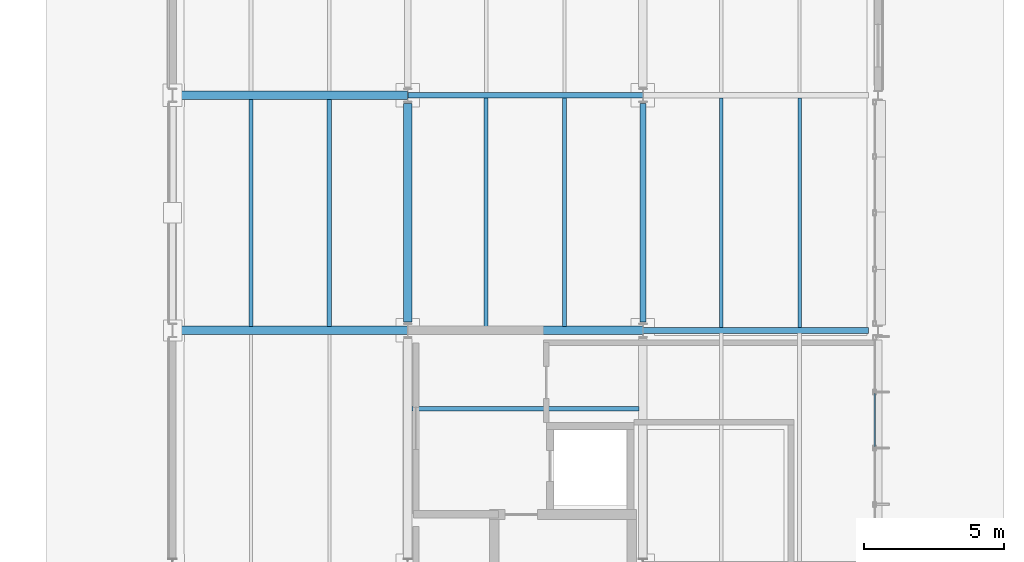
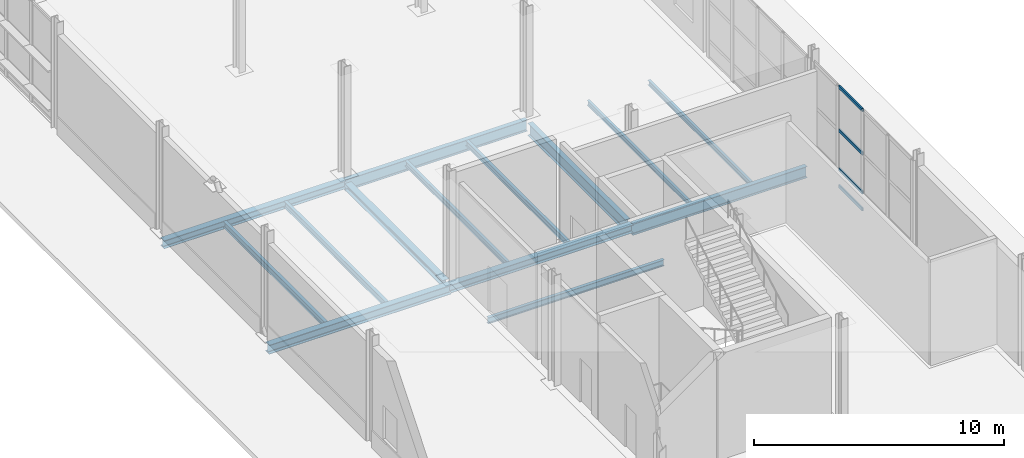
# One storey, part 59 of 124: 14 beams, 4 members, 1 element without a shape of its own.
"""IFC4 building model written with IfcOpenShell, lengths in metres."""

from ifc_helpers import new_model, si_unit, direction, frame, origin, origin_2d, place, context, subcontext, project, spatial, hollow_rectangle, i_section, extrude, material, material_profile, profile_set, type_object, element, aggregate, save


model = new_model("IFC4")

# Units and contexts
model_context = context("Model", 3, precision=1e-05, world=origin(), true_north=direction((0.0, 1.0)))
body_context = subcontext(model_context, "Body", "Model", "MODEL_VIEW")
ifc_project = project(units=[si_unit("LENGTHUNIT", "METRE"), si_unit("AREAUNIT", "SQUARE_METRE"), si_unit("VOLUMEUNIT", "CUBIC_METRE"), si_unit("PLANEANGLEUNIT", "RADIAN"), si_unit("MASSUNIT", "GRAM", prefix="KILO")], contexts=[model_context])

# Site, building, storey
site_placement = place(None, origin())
site = spatial("IfcSite", under=ifc_project, at=site_placement, CompositionType="ELEMENT")
building_placement = place(site_placement, origin())
building = spatial("IfcBuilding", under=site, at=building_placement, Name="Mersafa Astral City Hall", CompositionType="ELEMENT")
storey_placement = place(building_placement, origin())
storey = spatial("IfcBuildingStorey", under=building, at=storey_placement, Name="L00", CompositionType="ELEMENT", Elevation=0.0)

# Curtain wall, members
ifc_material_1 = material(Name="Anodised bronze aluminium framing", Category="aluminium")
curtain_wall_type = type_object("IfcCurtainWallType", Name="ENV-CW-3", PredefinedType="USERDEFINED", material=ifc_material_1)
curtain_wall_placement = place(storey_placement, origin())
curtain_wall = element("IfcCurtainWall", 1, at=curtain_wall_placement, inside=storey, type_object=curtain_wall_type, Name="L00 Unitised solar curtain wall 26", ObjectType="UNITISED CURTAIN WALL", PredefinedType="USERDEFINED")
ifc_material_profile_1 = material_profile(ifc_material_1, hollow_rectangle(XDim=0.06005859375, YDim=0.159912109375, WallThickness=0.00390625, at=origin_2d()), Name="RHS 60x160x4")
ifc_profile_set_1 = profile_set([ifc_material_profile_1], Name="Anodised bronze aluminium framing")
member_type = type_object("IfcMemberType", Name="ENV-CW-TRN-2", PredefinedType="USERDEFINED", material=ifc_profile_set_1)
member_1_placement = place(storey_placement, frame((184.679931640625, 63.054931640625, 0.028076171875), z_axis=(0.0, 1.0, 0.0), x_axis=(-1.0, 0.0, 0.0)))
member_1 = element("IfcMember", 2, at=member_1_placement, type_object=member_type, Name="CW-3 transom 3.1", ObjectType="TRANSOM", PredefinedType="USERDEFINED", context=body_context, shape_type="SweptSolid", body=[
    extrude(hollow_rectangle(XDim=0.06005859375, YDim=0.159912109375, WallThickness=0.00390625, at=origin_2d()), origin(), (0.0, 0.0, 1.0), 1.886474609375),
])
member_2_placement = place(storey_placement, frame((184.679931640625, 63.054931640625, 0.85009765625), z_axis=(0.0, 1.0, 0.0), x_axis=(-1.0, 0.0, 0.0)))
member_2 = element("IfcMember", 3, at=member_2_placement, type_object=member_type, Name="CW-3 transom 3.2", ObjectType="TRANSOM", PredefinedType="USERDEFINED", context=body_context, shape_type="SweptSolid", body=[
    extrude(hollow_rectangle(XDim=0.06005859375, YDim=0.159912109375, WallThickness=0.00390625, at=origin_2d()), origin(), (0.0, 0.0, 1.0), 1.886474609375),
])
member_3_placement = place(storey_placement, frame((184.679931640625, 63.054931640625, 2.75), z_axis=(0.0, 1.0, 0.0), x_axis=(-1.0, 0.0, 0.0)))
member_3 = element("IfcMember", 4, at=member_3_placement, type_object=member_type, Name="CW-3 transom 3.3", ObjectType="TRANSOM", PredefinedType="USERDEFINED", context=body_context, shape_type="SweptSolid", body=[
    extrude(hollow_rectangle(XDim=0.06005859375, YDim=0.159912109375, WallThickness=0.00390625, at=origin_2d()), origin(), (0.0, 0.0, 1.0), 1.886474609375),
])
member_4_placement = place(storey_placement, frame((184.679931640625, 63.054931640625, 4.8720703125), z_axis=(0.0, 1.0, 0.0), x_axis=(-1.0, 0.0, 0.0)))
member_4 = element("IfcMember", 5, at=member_4_placement, type_object=member_type, Name="CW-3 transom 3.4", ObjectType="TRANSOM", PredefinedType="USERDEFINED", context=body_context, shape_type="SweptSolid", body=[
    extrude(hollow_rectangle(XDim=0.06005859375, YDim=0.159912109375, WallThickness=0.00390625, at=origin_2d()), origin(), (0.0, 0.0, 1.0), 1.886474609375),
])
aggregate(curtain_wall, [member_1, member_2, member_3, member_4])

# Beams
ifc_material_2 = material(Name="Steel S355", Category="steel")
ifc_material_profile_2 = material_profile(ifc_material_2, i_section(OverallWidth=0.300048828125, OverallDepth=0.31005859375, WebThickness=0.009033203125, FlangeThickness=0.015380859375, FilletRadius=0.027099609375, at=origin_2d()), Name="HEA 320")
ifc_profile_set_2 = profile_set([ifc_material_profile_2], Name="Steel S355")
beam_type_1 = type_object("IfcBeamType", Name="STR-BM-HEA320", PredefinedType="BEAM", material=ifc_profile_set_2)
beam_1_placement = place(storey_placement, frame((168.0, 67.4951171875, -0.405029296875), z_axis=(0.0, 1.0, 0.0), x_axis=(-1.0, 0.0, 0.0)))
element("IfcBeam", 6, at=beam_1_placement, inside=storey, type_object=beam_type_1, Name="L00 Primary girder Y 20-8", PredefinedType="BEAM", context=body_context, shape_type="SweptSolid", body=[
    extrude(i_section(OverallWidth=0.300048828125, OverallDepth=0.31005859375, WebThickness=0.009033203125, FlangeThickness=0.015380859375, FilletRadius=0.027099609375, at=origin_2d()), origin(), (0.0, 0.0, 1.0), 7.809814453125),
])
ifc_material_profile_3 = material_profile(ifc_material_2, i_section(OverallWidth=0.300048828125, OverallDepth=0.389892578125, WebThickness=0.010986328125, FlangeThickness=0.01904296875, FilletRadius=0.027099609375, at=origin_2d()), Name="HEA 400")
ifc_profile_set_3 = profile_set([ifc_material_profile_3], Name="Steel S355")
beam_type_2 = type_object("IfcBeamType", Name="STR-BM-HEA400", PredefinedType="BEAM", material=ifc_profile_set_3)
for number, where, z_axis, x_axis, name in (
    (7, (168.0029296875, 67.199951171875, -0.445068359375), (1.0, 0.0, 0.0), (0.0, 1.0, 0.0), "L00 Primary girder X 20-8"),
    (8, (159.60302734375, 75.60009765625, -0.445068359375), (1.0, 0.0, 0.0), (0.0, 1.0, 0.0), "L00 Primary girder X 19-9"),
):
    element("IfcBeam", number, at=place(storey_placement, frame(where, z_axis=z_axis, x_axis=x_axis)), inside=storey, type_object=beam_type_2, Name=name, PredefinedType="BEAM", context=body_context, shape_type="SweptSolid", body=[
        extrude(i_section(OverallWidth=0.300048828125, OverallDepth=0.389892578125, WebThickness=0.010986328125, FlangeThickness=0.01904296875, FilletRadius=0.027099609375, at=origin_2d()), origin(), (0.0, 0.0, 1.0), 8.39404296875),
    ])
ifc_material_profile_4 = material_profile(ifc_material_2, i_section(OverallWidth=0.300048828125, OverallDepth=0.43994140625, WebThickness=0.011474609375, FlangeThickness=0.02099609375, FilletRadius=0.027099609375, at=origin_2d()), Name="HEA 450")
ifc_profile_set_4 = profile_set([ifc_material_profile_4], Name="Steel S355")
beam_type_3 = type_object("IfcBeamType", Name="STR-BM-HEA450", PredefinedType="BEAM", material=ifc_profile_set_4)
beam_2_placement = place(storey_placement, frame((159.60302734375, 67.199951171875, -0.469970703125), z_axis=(1.0, 0.0, 0.0), x_axis=(0.0, 1.0, 0.0)))
element("IfcBeam", 9, at=beam_2_placement, inside=storey, type_object=beam_type_3, Name="L00 Primary girder X 19-8", PredefinedType="BEAM", context=body_context, shape_type="SweptSolid", body=[
    extrude(i_section(OverallWidth=0.300048828125, OverallDepth=0.43994140625, WebThickness=0.011474609375, FlangeThickness=0.02099609375, FilletRadius=0.027099609375, at=origin_2d()), origin(), (0.0, 0.0, 1.0), 8.39404296875),
])
ifc_material_profile_5 = material_profile(ifc_material_2, i_section(OverallWidth=0.2099609375, OverallDepth=0.550048828125, WebThickness=0.010986328125, FlangeThickness=0.01708984375, FilletRadius=0.02392578125, at=origin_2d()), Name="IPE 550")
ifc_profile_set_5 = profile_set([ifc_material_profile_5], Name="Steel S355")
beam_type_4 = type_object("IfcBeamType", Name="STR-BM-IPE550", PredefinedType="BEAM", material=ifc_profile_set_5)
beam_3_placement = place(storey_placement, frame((176.403076171875, 67.199951171875, -0.52490234375), z_axis=(1.0, 0.0, 0.0), x_axis=(0.0, 1.0, 0.0)))
element("IfcBeam", 10, at=beam_3_placement, inside=storey, type_object=beam_type_4, Name="L00 Primary girder X 21-8", PredefinedType="BEAM", context=body_context, shape_type="SweptSolid", body=[
    extrude(i_section(OverallWidth=0.2099609375, OverallDepth=0.550048828125, WebThickness=0.010986328125, FlangeThickness=0.01708984375, FilletRadius=0.02392578125, at=origin_2d()), origin(), (0.0, 0.0, 1.0), 8.052001953125),
])
beam_4_placement = place(storey_placement, frame((168.0029296875, 75.60009765625, -0.52490234375), z_axis=(1.0, 0.0, 0.0), x_axis=(0.0, 1.0, 0.0)))
element("IfcBeam", 11, at=beam_4_placement, inside=storey, type_object=beam_type_4, Name="L00 Primary girder X 20-9", PredefinedType="BEAM", context=body_context, shape_type="SweptSolid", body=[
    extrude(i_section(OverallWidth=0.2099609375, OverallDepth=0.550048828125, WebThickness=0.010986328125, FlangeThickness=0.01708984375, FilletRadius=0.02392578125, at=origin_2d()), origin(), (0.0, 0.0, 1.0), 8.39404296875),
])
ifc_material_profile_6 = material_profile(ifc_material_2, i_section(OverallWidth=0.219970703125, OverallDepth=0.60009765625, WebThickness=0.011962890625, FlangeThickness=0.01904296875, FilletRadius=0.02392578125, at=origin_2d()), Name="IPE 600")
ifc_profile_set_6 = profile_set([ifc_material_profile_6], Name="Steel S355")
beam_type_5 = type_object("IfcBeamType", Name="STR-BM-IPE600", PredefinedType="BEAM", material=ifc_profile_set_6)
beam_5_placement = place(storey_placement, frame((176.39990234375, 67.4951171875, -0.550048828125), z_axis=(0.0, 1.0, 0.0), x_axis=(-1.0, 0.0, 0.0)))
element("IfcBeam", 12, at=beam_5_placement, inside=storey, type_object=beam_type_5, Name="L00 Primary girder Y 21-8", PredefinedType="BEAM", context=body_context, shape_type="SweptSolid", body=[
    extrude(i_section(OverallWidth=0.219970703125, OverallDepth=0.60009765625, WebThickness=0.011962890625, FlangeThickness=0.01904296875, FilletRadius=0.02392578125, at=origin_2d()), origin(), (0.0, 0.0, 1.0), 7.809814453125),
])
ifc_material_profile_7 = material_profile(ifc_material_2, i_section(OverallWidth=0.1201171875, OverallDepth=0.239990234375, WebThickness=0.006103515625, FlangeThickness=0.009765625, FilletRadius=0.014892578125, at=origin_2d()), Name="IPE 240")
ifc_profile_set_7 = profile_set([ifc_material_profile_7], Name="Steel S355")
beam_type_6 = type_object("IfcBeamType", Name="STR-BM-JOIST-IPE240", PredefinedType="JOIST", material=ifc_profile_set_7)
for number, where, z_axis, x_axis, name in (
    (13, (179.199951171875, 67.300048828125, -0.3701171875), (0.0, 1.0, 0.0), (-1.0, 0.0, 0.0), "L00 Composite secondary floor joist 217"),
    (14, (182.0, 67.300048828125, -0.3701171875), (0.0, 1.0, 0.0), (-1.0, 0.0, 0.0), "L00 Composite secondary floor joist 218"),
):
    element("IfcBeam", number, at=place(storey_placement, frame(where, z_axis=z_axis, x_axis=x_axis)), inside=storey, type_object=beam_type_6, Name=name, PredefinedType="JOIST", context=body_context, shape_type="SweptSolid", body=[
        extrude(i_section(OverallWidth=0.1201171875, OverallDepth=0.239990234375, WebThickness=0.006103515625, FlangeThickness=0.009765625, FilletRadius=0.014892578125, at=origin_2d()), origin(), (0.0, 0.0, 1.0), 8.204833984375),
    ])
ifc_material_profile_8 = material_profile(ifc_material_2, i_section(OverallWidth=0.135009765625, OverallDepth=0.27001953125, WebThickness=0.006591796875, FlangeThickness=0.01025390625, FilletRadius=0.014892578125, at=origin_2d()), Name="IPE 270")
ifc_profile_set_8 = profile_set([ifc_material_profile_8], Name="Steel S355")
beam_type_7 = type_object("IfcBeamType", Name="STR-BM-JOIST-IPE270", PredefinedType="JOIST", material=ifc_profile_set_8)
for number, where, z_axis, x_axis, name in (
    (15, (170.800048828125, 67.344970703125, -0.385009765625), (0.0, 1.0, 0.0), (-1.0, 0.0, 0.0), "L00 Composite secondary floor joist 201"),
    (16, (173.60009765625, 67.344970703125, -0.385009765625), (0.0, 1.0, 0.0), (-1.0, 0.0, 0.0), "L00 Composite secondary floor joist 202"),
):
    element("IfcBeam", number, at=place(storey_placement, frame(where, z_axis=z_axis, x_axis=x_axis)), inside=storey, type_object=beam_type_7, Name=name, PredefinedType="JOIST", context=body_context, shape_type="SweptSolid", body=[
        extrude(i_section(OverallWidth=0.135009765625, OverallDepth=0.27001953125, WebThickness=0.006591796875, FlangeThickness=0.01025390625, FilletRadius=0.014892578125, at=origin_2d()), origin(), (0.0, 0.0, 1.0), 8.155029296875),
    ])
ifc_material_profile_9 = material_profile(ifc_material_2, i_section(OverallWidth=0.14990234375, OverallDepth=0.300048828125, WebThickness=0.007080078125, FlangeThickness=0.0107421875, FilletRadius=0.014892578125, at=origin_2d()), Name="IPE 300")
ifc_profile_set_9 = profile_set([ifc_material_profile_9], Name="Steel S355")
beam_type_8 = type_object("IfcBeamType", Name="STR-BM-JOIST-IPE300", PredefinedType="JOIST", material=ifc_profile_set_9)
for number, where, z_axis, x_axis, name in (
    (17, (162.39990234375, 67.344970703125, -0.39990234375), (0.0, 1.0, 0.0), (-1.0, 0.0, 0.0), "L00 Composite secondary floor joist 186"),
    (18, (165.199951171875, 67.344970703125, -0.39990234375), (0.0, 1.0, 0.0), (-1.0, 0.0, 0.0), "L00 Composite secondary floor joist 187"),
):
    element("IfcBeam", number, at=place(storey_placement, frame(where, z_axis=z_axis, x_axis=x_axis)), inside=storey, type_object=beam_type_8, Name=name, PredefinedType="JOIST", context=body_context, shape_type="SweptSolid", body=[
        extrude(i_section(OverallWidth=0.14990234375, OverallDepth=0.300048828125, WebThickness=0.007080078125, FlangeThickness=0.0107421875, FilletRadius=0.014892578125, at=origin_2d()), origin(), (0.0, 0.0, 1.0), 8.110107421875),
    ])
beam_6_placement = place(storey_placement, frame((168.14501953125, 64.39990234375, -0.39990234375), z_axis=(1.0, 0.0, 0.0), x_axis=(0.0, 1.0, 0.0)))
element("IfcBeam", 19, at=beam_6_placement, inside=storey, type_object=beam_type_8, Name="L00 Composite secondary floor joist 200", PredefinedType="JOIST", context=body_context, shape_type="SweptSolid", body=[
    extrude(i_section(OverallWidth=0.14990234375, OverallDepth=0.300048828125, WebThickness=0.007080078125, FlangeThickness=0.0107421875, FilletRadius=0.014892578125, at=origin_2d()), origin(), (0.0, 0.0, 1.0), 8.10986328125),
])

save(model, "model.ifc")
